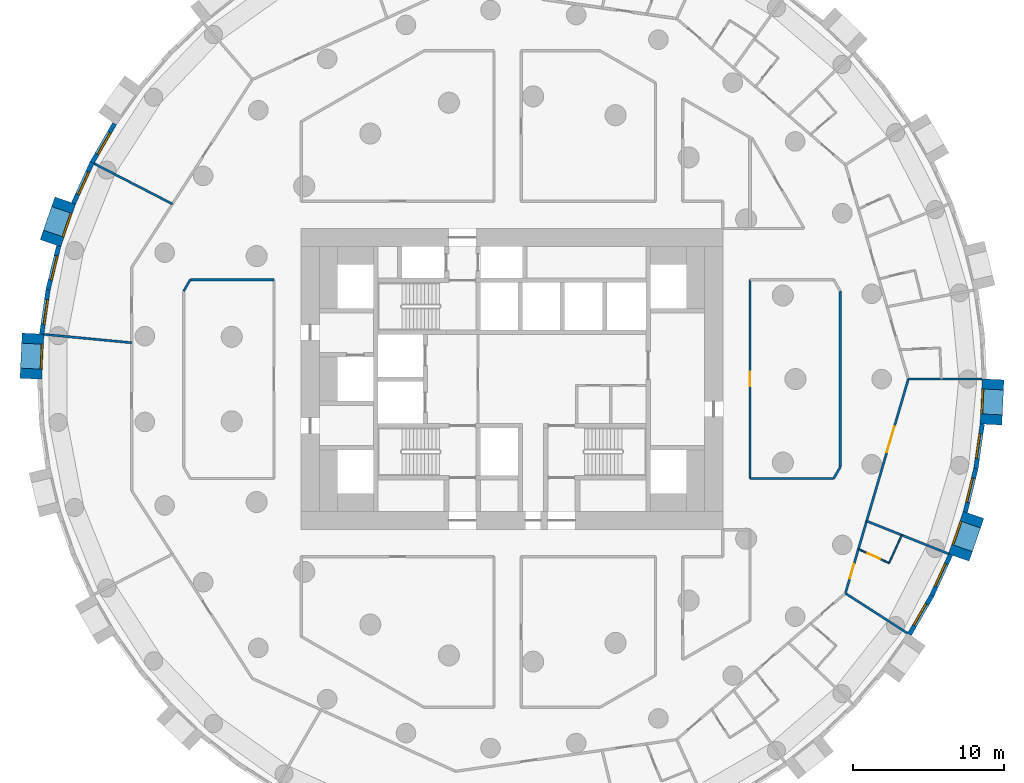
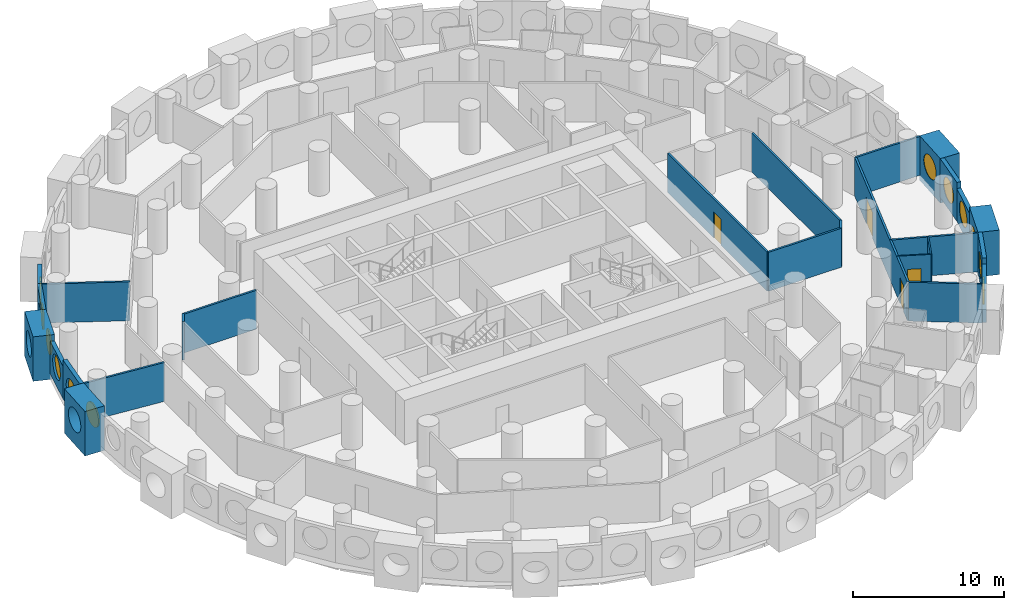
# One storey, part 6 of 12: 26 walls, 12 windows, 4 doors, 16 openings.
"""IFC4 building model written with IfcOpenShell, lengths in metres."""

import ifcopenshell
import ifcopenshell.guid

model = None  # the IFC model being written
_history = None  # IfcOwnerHistory: only IFC2X3 demands one
_inside = {}  # id of a spatial element -> (the spatial element, [elements in it])
_under = {}  # id of a project, library or spatial element -> (it, [spatial elements below it])
_declared = {}  # id of a project -> (the project, [libraries it declares])
_typed = {}  # id of a type object -> (the type object, [elements of that type])
_made_of = {}  # id of a material, layer set ... -> (it, [elements and type objects made of it])


def new_model(schema):
    """Start an empty IFC model of exactly this schema.

    Asked for "IFC4X3", IfcOpenShell would pick the latest addendum, in which some entities
    have other attributes; the version numbers below select the first issue.
    IFC2X3 requires an IfcOwnerHistory on every rooted entity: one is made here for all.
    """
    global model, _history
    if schema == "IFC4X3":
        model = ifcopenshell.file(schema_version=(4, 3, 0, 0))
    else:
        model = ifcopenshell.file(schema=schema)
    _inside.clear()
    _under.clear()
    _declared.clear()
    _typed.clear()
    _made_of.clear()
    _history = None
    if model.schema == "IFC2X3":
        org = make("IfcOrganization", Name="unknown")
        user = make(
            "IfcPersonAndOrganization",
            ThePerson=make("IfcPerson", FamilyName="unknown"),
            TheOrganization=org,
        )
        app = make(
            "IfcApplication",
            ApplicationDeveloper=org,
            Version="unknown",
            ApplicationFullName="unknown",
            ApplicationIdentifier="unknown",
        )
        _history = make(
            "IfcOwnerHistory",
            OwningUser=user,
            OwningApplication=app,
            ChangeAction="ADDED",
            CreationDate=0,
        )
    return model


def make(cls, **values):
    """One entity of the class cls with the attributes given. An attribute that is None is left unset."""
    return model.create_entity(
        cls, **{name: value for name, value in values.items() if value is not None}
    )


def rooted(cls, **values):
    """An entity with a GlobalId (a new one), such as an element, a storey or a relation."""
    return make(cls, GlobalId=ifcopenshell.guid.new(), OwnerHistory=_history, **values)


def si_unit(unit_type, name, prefix=None):
    """IfcSIUnit, for example si_unit("LENGTHUNIT", "METRE", prefix="MILLI")."""
    return make("IfcSIUnit", UnitType=unit_type, Prefix=prefix, Name=name)


def assignment(units):
    """IfcUnitAssignment: the units of a project."""
    return None if units is None else make("IfcUnitAssignment", Units=units)


def point(xyz):
    """IfcCartesianPoint."""
    return None if xyz is None else make("IfcCartesianPoint", Coordinates=xyz)


def direction(xyz):
    """IfcDirection."""
    return None if xyz is None else make("IfcDirection", DirectionRatios=xyz)


def frame(location, z_axis=None, x_axis=None):
    """IfcAxis2Placement3D, a coordinate frame: its origin and axes. An axis left out is left unset."""
    return make(
        "IfcAxis2Placement3D",
        Location=point(location),
        Axis=direction(z_axis),
        RefDirection=direction(x_axis),
    )


def frame_2d(location, x_axis=None):
    """IfcAxis2Placement2D, a coordinate frame in the plane: its origin and x axis."""
    return make(
        "IfcAxis2Placement2D", Location=point(location), RefDirection=direction(x_axis)
    )


def origin():
    """The frame at (0, 0, 0) with its axes left unset."""
    return frame((0.0, 0.0, 0.0))


def origin_2d():
    """The frame at (0, 0) in the plane with its x axis left unset."""
    return frame_2d((0.0, 0.0))


def place(relative_to, where):
    """IfcLocalPlacement: puts the frame where relative to a parent placement (None: the world)."""
    return make(
        "IfcLocalPlacement", PlacementRelTo=relative_to, RelativePlacement=where
    )


def context(
    kind, dimensions, precision=None, world=None, true_north=None, identifier=None
):
    """IfcGeometricRepresentationContext, for example the 3D "Model" context."""
    return make(
        "IfcGeometricRepresentationContext",
        ContextIdentifier=identifier,
        ContextType=kind,
        CoordinateSpaceDimension=dimensions,
        Precision=precision,
        WorldCoordinateSystem=world,
        TrueNorth=true_north,
    )


def subcontext(parent, identifier, kind, view, scale=None):
    """IfcGeometricRepresentationSubContext, for example "Body" below "Model"."""
    return make(
        "IfcGeometricRepresentationSubContext",
        ContextIdentifier=identifier,
        ContextType=kind,
        ParentContext=parent,
        TargetScale=scale,
        TargetView=view,
    )


def project(units=None, contexts=None):
    """IfcProject with its units and contexts."""
    return rooted(
        "IfcProject",
        Name="project",
        RepresentationContexts=contexts,
        UnitsInContext=assignment(units),
    )


def spatial(cls, under=None, at=None, **own):
    """A site, building, storey or space (cls), placed at a placement, below another one or the project."""
    s = rooted(cls, ObjectPlacement=at, **own)
    if under is not None:
        _under.setdefault(under.id(), (under, []))[1].append(s)
    return s


def profile(cls, at=None, kind="AREA", **sizes):
    """A parametric profile (cls). Its sizes go by their IFC names, for example OverallWidth=200.0."""
    return make(cls, ProfileType=kind, Position=at, **sizes)


def rectangle(**sizes):
    """IfcRectangleProfileDef."""
    return profile("IfcRectangleProfileDef", **sizes)


def circle(**sizes):
    """IfcCircleProfileDef."""
    return profile("IfcCircleProfileDef", **sizes)


def extrude(swept, where, along, depth):
    """IfcExtrudedAreaSolid: the profile swept, set in the frame where, extruded along a direction by depth."""
    return make(
        "IfcExtrudedAreaSolid",
        SweptArea=swept,
        Position=where,
        ExtrudedDirection=direction(along),
        Depth=depth,
    )


def shape(context_of_items, identifier, shape_type, items):
    """IfcShapeRepresentation: the items that make up one representation, for example the "Body"."""
    return make(
        "IfcShapeRepresentation",
        ContextOfItems=context_of_items,
        RepresentationIdentifier=identifier,
        RepresentationType=shape_type,
        Items=items,
    )


def material(Name=None, Category=None):
    """IfcMaterial."""
    return make("IfcMaterial", Name=Name, Category=Category)


def layer(
    of_material, thickness, ventilated=None, Name=None, Category=None, Priority=None
):
    """IfcMaterialLayer: one layer of a wall or slab, of a material (None: an air gap)."""
    return make(
        "IfcMaterialLayer",
        Material=of_material,
        LayerThickness=thickness,
        IsVentilated=ventilated,
        Name=Name,
        Category=Category,
        Priority=Priority,
    )


def layer_set(layers, Name=None):
    """IfcMaterialLayerSet."""
    return make("IfcMaterialLayerSet", MaterialLayers=layers, LayerSetName=Name)


def made_of(thing, what):
    """Note that an element or type object is made of a material, layer set ...; save() writes the relation."""
    if what is not None:
        _made_of.setdefault(what.id(), (what, []))[1].append(thing)
    return thing


def type_object(cls, material=None, **own):
    """A type object (cls), such as IfcWallType, which elements share."""
    return made_of(rooted(cls, **own), material)


def element(
    cls,
    number,
    at=None,
    inside=None,
    cuts=None,
    type_object=None,
    material=None,
    context=None,
    identifier="Body",
    shape_type=None,
    held_by="IfcProductDefinitionShape",
    body=None,
    shapes=None,
    **own,
):
    """One element of the class cls, such as IfcWall. Its Tag is "e" and its number.

    at: its placement. inside: the storey or other place that contains it. cuts: it is an
    opening in that element (IfcRelVoidsElement). A single representation is given by context,
    identifier, shape_type and body (its items); several are given by shapes. held_by: the class
    of the entity that holds the representations. save() writes the other relations.
    """
    e = rooted(cls, Tag="e%d" % number, ObjectPlacement=at, **own)
    if body is not None:
        shapes = [shape(context, identifier, shape_type, body)]
    if shapes is not None:
        e.Representation = make(held_by, Representations=shapes)
    if inside is not None:
        _inside.setdefault(inside.id(), (inside, []))[1].append(e)
    if cuts is not None:
        rooted(
            "IfcRelVoidsElement", RelatingBuildingElement=cuts, RelatedOpeningElement=e
        )
    if type_object is not None:
        _typed.setdefault(type_object.id(), (type_object, []))[1].append(e)
    return made_of(e, material)


def fill(opening, filler):
    """IfcRelFillsElement: the door or window that sits in an opening."""
    return rooted(
        "IfcRelFillsElement",
        RelatingOpeningElement=opening,
        RelatedBuildingElement=filler,
    )


def aggregate(whole, parts):
    """IfcRelAggregates: a whole, such as a stair, and the parts it consists of."""
    return rooted("IfcRelAggregates", RelatingObject=whole, RelatedObjects=parts)


def save(model, path):
    """Write the relations noted so far, then the file.

    IfcRelAggregates (storeys below a building ...), IfcRelContainedInSpatialStructure (elements
    in a storey), IfcRelDefinesByType, IfcRelAssociatesMaterial and IfcRelDeclares: one each for
    every whole, place, type object, material and project.
    """
    for whole, parts in _under.values():
        aggregate(whole, parts)
    for where, things in _inside.values():
        rooted(
            "IfcRelContainedInSpatialStructure",
            RelatedElements=things,
            RelatingStructure=where,
        )
    for kind, things in _typed.values():
        rooted("IfcRelDefinesByType", RelatedObjects=things, RelatingType=kind)
    for what, things in _made_of.values():
        rooted("IfcRelAssociatesMaterial", RelatedObjects=things, RelatingMaterial=what)
    for by, libraries in _declared.values():
        rooted("IfcRelDeclares", RelatingContext=by, RelatedDefinitions=libraries)
    model.write(path)


model = new_model("IFC4")

# Units and contexts
model_context = context("Model", 3, precision=1e-05, world=origin(), true_north=direction((0.0, 1.0)))
body_context = subcontext(model_context, "Body", "Model", "MODEL_VIEW")
ifc_project = project(units=[si_unit("LENGTHUNIT", "METRE"), si_unit("AREAUNIT", "SQUARE_METRE"), si_unit("VOLUMEUNIT", "CUBIC_METRE"), si_unit("PLANEANGLEUNIT", "RADIAN"), si_unit("MASSUNIT", "GRAM", prefix="KILO")], contexts=[model_context])

# Site, building, storey
site_placement = place(None, origin())
site = spatial("IfcSite", under=ifc_project, at=site_placement, CompositionType="ELEMENT")
building_placement = place(site_placement, origin())
building = spatial("IfcBuilding", under=site, at=building_placement, Name="Tracery Tower", CompositionType="ELEMENT")
storey_placement = place(building_placement, frame((0.0, 0.0, 78.60009765625)))
storey = spatial("IfcBuildingStorey", under=building, at=storey_placement, Name="L19", CompositionType="ELEMENT", Elevation=78.60009765625)

# Wall, opening, window
ifc_material_1 = material(Name="Precast concrete C50/60", Category="concrete")
ifc_layer_1 = layer(ifc_material_1, 1.449951171875)
ifc_layer_set_1 = layer_set([ifc_layer_1], Name="Deep-set bay unit 3000 x 3600, slab edge 450")
wall_type_1 = type_object("IfcWallType", Name="Deep-set bay unit 3000 x 3600, slab edge 450", PredefinedType="ELEMENTEDWALL", material=ifc_layer_set_1)
wall_1_placement = place(storey_placement, frame((-29.66796875, 11.85546875, -0.4501953125), z_axis=(0.0, 0.0, 1.0), x_axis=(-0.327071431777, -0.944999618262, 0.0)))
wall_1 = element("IfcWall", 1, at=wall_1_placement, inside=storey, type_object=wall_type_1, Name="Deep-set bay unit 30 at L19", PredefinedType="ELEMENTEDWALL", context=body_context, shape_type="SweptSolid", body=[
    extrude(rectangle(XDim=3.0, YDim=1.449951171875, at=frame_2d((1.5, 0.0))), origin(), (0.0, 0.0, 1.0), 3.60009765625),
])
opening_1_placement = place(wall_1_placement, frame((1.5, 0.0, 2.0)))
opening_1 = element("IfcOpeningElement", 2, at=opening_1_placement, cuts=wall_1, Name="Opening WN1", PredefinedType="OPENING", context=body_context, shape_type="SweptSolid", body=[
    extrude(circle(Radius=0.9000244140625, at=origin_2d()), frame((0.0, 0.73486328125, 0.0), z_axis=(0.0, -1.0, 0.0), x_axis=(1.0, 0.0, 0.0)), (0.0, 0.0, 1.0), 1.469970703125),
])
ifc_material_2 = material(Name="Aluminium frame with tinted double glazing", Category="aluminium")
window_type = type_object("IfcWindowType", Name="Round window 1800", PartitioningType="SINGLE_PANEL", PredefinedType="WINDOW", material=ifc_material_2)
window_1_placement = place(opening_1_placement, origin())
window_1 = element("IfcWindow", 3, at=window_1_placement, inside=storey, type_object=window_type, Name="Round window 30 at L19", OverallHeight=1.800048828125, OverallWidth=1.800048828125, PartitioningType="SINGLE_PANEL", PredefinedType="WINDOW", context=body_context, shape_type="SweptSolid", body=[
    extrude(circle(Radius=0.9000244140625, at=origin_2d()), frame((0.0, 0.69482421875, 0.0), z_axis=(0.0, -1.0, 0.0), x_axis=(1.0, 0.0, 0.0)), (0.0, 0.0, 1.0), 0.10009765625),
])
fill(opening_1, window_1)

wall_2_placement = place(storey_placement, frame((-31.806396484375, 3.016845703125, -0.4501953125), z_axis=(0.0, 0.0, 1.0), x_axis=(-0.047607680889, -0.998866111509, 0.0)))
wall_2 = element("IfcWall", 4, at=wall_2_placement, inside=storey, type_object=wall_type_1, Name="Deep-set bay unit 33 at L19", PredefinedType="ELEMENTEDWALL", context=body_context, shape_type="SweptSolid", body=[
    extrude(rectangle(XDim=3.0, YDim=1.449951171875, at=frame_2d((1.5, 0.0))), origin(), (0.0, 0.0, 1.0), 3.60009765625),
])
opening_2_placement = place(wall_2_placement, frame((1.5, 0.0, 2.0)))
opening_2 = element("IfcOpeningElement", 5, at=opening_2_placement, cuts=wall_2, Name="Opening WN1", PredefinedType="OPENING", context=body_context, shape_type="SweptSolid", body=[
    extrude(circle(Radius=0.9000244140625, at=origin_2d()), frame((0.0, 0.73486328125, 0.0), z_axis=(0.0, -1.0, 0.0), x_axis=(1.0, 0.0, 0.0)), (0.0, 0.0, 1.0), 1.469970703125),
])
window_2_placement = place(opening_2_placement, origin())
window_2 = element("IfcWindow", 6, at=window_2_placement, inside=storey, type_object=window_type, Name="Round window 33 at L19", OverallHeight=1.800048828125, OverallWidth=1.800048828125, PartitioningType="SINGLE_PANEL", PredefinedType="WINDOW", context=body_context, shape_type="SweptSolid", body=[
    extrude(circle(Radius=0.9000244140625, at=origin_2d()), frame((0.0, 0.69482421875, 0.0), z_axis=(0.0, -1.0, 0.0), x_axis=(1.0, 0.0, 0.0)), (0.0, 0.0, 1.0), 0.10009765625),
])
fill(opening_2, window_2)

wall_3_placement = place(storey_placement, frame((29.66796875, -11.85546875, -0.4501953125), z_axis=(0.0, 0.0, 1.0), x_axis=(0.327071431777, 0.944999618262, 0.0)))
wall_3 = element("IfcWall", 7, at=wall_3_placement, inside=storey, type_object=wall_type_1, Name="Deep-set bay unit 63 at L19", PredefinedType="ELEMENTEDWALL", context=body_context, shape_type="SweptSolid", body=[
    extrude(rectangle(XDim=3.0, YDim=1.449951171875, at=frame_2d((1.5, 0.0))), origin(), (0.0, 0.0, 1.0), 3.60009765625),
])
opening_3_placement = place(wall_3_placement, frame((1.5, 0.0, 2.0)))
opening_3 = element("IfcOpeningElement", 8, at=opening_3_placement, cuts=wall_3, Name="Opening WN1", PredefinedType="OPENING", context=body_context, shape_type="SweptSolid", body=[
    extrude(circle(Radius=0.9000244140625, at=origin_2d()), frame((0.0, 0.73486328125, 0.0), z_axis=(0.0, -1.0, 0.0), x_axis=(1.0, 0.0, 0.0)), (0.0, 0.0, 1.0), 1.469970703125),
])
window_3_placement = place(opening_3_placement, origin())
window_3 = element("IfcWindow", 9, at=window_3_placement, inside=storey, type_object=window_type, Name="Round window 63 at L19", OverallHeight=1.800048828125, OverallWidth=1.800048828125, PartitioningType="SINGLE_PANEL", PredefinedType="WINDOW", context=body_context, shape_type="SweptSolid", body=[
    extrude(circle(Radius=0.9000244140625, at=origin_2d()), frame((0.0, 0.69482421875, 0.0), z_axis=(0.0, -1.0, 0.0), x_axis=(1.0, 0.0, 0.0)), (0.0, 0.0, 1.0), 0.10009765625),
])
fill(opening_3, window_3)

wall_4_placement = place(storey_placement, frame((31.806396484375, -3.016845703125, -0.4501953125), z_axis=(0.0, 0.0, 1.0), x_axis=(0.047607680889, 0.998866111509, 0.0)))
wall_4 = element("IfcWall", 10, at=wall_4_placement, inside=storey, type_object=wall_type_1, Name="Deep-set bay unit 66 at L19", PredefinedType="ELEMENTEDWALL", context=body_context, shape_type="SweptSolid", body=[
    extrude(rectangle(XDim=3.0, YDim=1.449951171875, at=frame_2d((1.5, 0.0))), origin(), (0.0, 0.0, 1.0), 3.60009765625),
])
opening_4_placement = place(wall_4_placement, frame((1.5, 0.0, 2.0)))
opening_4 = element("IfcOpeningElement", 11, at=opening_4_placement, cuts=wall_4, Name="Opening WN1", PredefinedType="OPENING", context=body_context, shape_type="SweptSolid", body=[
    extrude(circle(Radius=0.9000244140625, at=origin_2d()), frame((0.0, 0.73486328125, 0.0), z_axis=(0.0, -1.0, 0.0), x_axis=(1.0, 0.0, 0.0)), (0.0, 0.0, 1.0), 1.469970703125),
])
window_4_placement = place(opening_4_placement, origin())
window_4 = element("IfcWindow", 12, at=window_4_placement, inside=storey, type_object=window_type, Name="Round window 66 at L19", OverallHeight=1.800048828125, OverallWidth=1.800048828125, PartitioningType="SINGLE_PANEL", PredefinedType="WINDOW", context=body_context, shape_type="SweptSolid", body=[
    extrude(circle(Radius=0.9000244140625, at=origin_2d()), frame((0.0, 0.69482421875, 0.0), z_axis=(0.0, -1.0, 0.0), x_axis=(1.0, 0.0, 0.0)), (0.0, 0.0, 1.0), 0.10009765625),
])
fill(opening_4, window_4)

ifc_material_3 = material(Name="Precast concrete C50/60", Category="concrete")
ifc_layer_2 = layer(ifc_material_3, 0.300048828125)
ifc_layer_set_2 = layer_set([ifc_layer_2], Name="Facade panel 3000 x 2650")
wall_type_2 = type_object("IfcWallType", Name="Facade panel 3000 x 2650", PredefinedType="SOLIDWALL", material=ifc_layer_set_2)
wall_5_placement = place(storey_placement, frame((-26.39697265625, 16.95703125, 0.0), z_axis=(0.0, 0.0, 1.0), x_axis=(-0.499999078476, -0.866025935826, 0.0)))
wall_5 = element("IfcWall", 13, at=wall_5_placement, inside=storey, type_object=wall_type_2, Name="Facade panel 28 at L19", PredefinedType="SOLIDWALL", context=body_context, shape_type="SweptSolid", body=[
    extrude(rectangle(XDim=2.9794921875, YDim=0.300048828125, at=frame_2d((1.48974609375, 0.0))), origin(), (0.0, 0.0, 1.0), 2.64990234375),
])
opening_5_placement = place(wall_5_placement, frame((1.48974609375, 0.0, 1.5498046875)))
opening_5 = element("IfcOpeningElement", 14, at=opening_5_placement, cuts=wall_5, Name="Opening WN1", PredefinedType="OPENING", context=body_context, shape_type="SweptSolid", body=[
    extrude(circle(Radius=0.9000244140625, at=origin_2d()), frame((0.0, 0.159912109375, 0.0), z_axis=(0.0, -1.0, 0.0), x_axis=(1.0, 0.0, 0.0)), (0.0, 0.0, 1.0), 0.320068359375),
])
window_5_placement = place(opening_5_placement, origin())
window_5 = element("IfcWindow", 15, at=window_5_placement, inside=storey, type_object=window_type, Name="Round window 28 at L19", OverallHeight=1.800048828125, OverallWidth=1.800048828125, PartitioningType="SINGLE_PANEL", PredefinedType="WINDOW", context=body_context, shape_type="SweptSolid", body=[
    extrude(circle(Radius=0.9000244140625, at=origin_2d()), frame((0.0, 0.1201171875, 0.0), z_axis=(0.0, -1.0, 0.0), x_axis=(1.0, 0.0, 0.0)), (0.0, 0.0, 1.0), 0.10009765625),
])
fill(opening_5, window_5)

wall_6_placement = place(storey_placement, frame((-30.10498046875, 8.833251953125, 0.0), z_axis=(0.0, 0.0, 1.0), x_axis=(-0.235743081534, -0.971815414319, 0.0)))
wall_6 = element("IfcWall", 16, at=wall_6_placement, inside=storey, type_object=wall_type_2, Name="Facade panel 31 at L19", PredefinedType="SOLIDWALL", context=body_context, shape_type="SweptSolid", body=[
    extrude(rectangle(XDim=2.9794921875, YDim=0.300048828125, at=frame_2d((1.48974609375, 0.0))), origin(), (0.0, 0.0, 1.0), 2.64990234375),
])
opening_6_placement = place(wall_6_placement, frame((1.48974609375, 0.0, 1.5498046875)))
opening_6 = element("IfcOpeningElement", 17, at=opening_6_placement, cuts=wall_6, Name="Opening WN1", PredefinedType="OPENING", context=body_context, shape_type="SweptSolid", body=[
    extrude(circle(Radius=0.9000244140625, at=origin_2d()), frame((0.0, 0.159912109375, 0.0), z_axis=(0.0, -1.0, 0.0), x_axis=(1.0, 0.0, 0.0)), (0.0, 0.0, 1.0), 0.320068359375),
])
window_6_placement = place(opening_6_placement, origin())
window_6 = element("IfcWindow", 18, at=window_6_placement, inside=storey, type_object=window_type, Name="Round window 31 at L19", OverallHeight=1.800048828125, OverallWidth=1.800048828125, PartitioningType="SINGLE_PANEL", PredefinedType="WINDOW", context=body_context, shape_type="SweptSolid", body=[
    extrude(circle(Radius=0.9000244140625, at=origin_2d()), frame((0.0, 0.1201171875, 0.0), z_axis=(0.0, -1.0, 0.0), x_axis=(1.0, 0.0, 0.0)), (0.0, 0.0, 1.0), 0.10009765625),
])
fill(opening_6, window_6)

wall_7_placement = place(storey_placement, frame((26.39697265625, -16.95703125, 0.0), z_axis=(0.0, 0.0, 1.0), x_axis=(0.499999078476, 0.866025935826, 0.0)))
wall_7 = element("IfcWall", 19, at=wall_7_placement, inside=storey, type_object=wall_type_2, Name="Facade panel 61 at L19", PredefinedType="SOLIDWALL", context=body_context, shape_type="SweptSolid", body=[
    extrude(rectangle(XDim=2.9794921875, YDim=0.300048828125, at=frame_2d((1.48974609375, 0.0))), origin(), (0.0, 0.0, 1.0), 2.64990234375),
])
opening_7_placement = place(wall_7_placement, frame((1.48974609375, 0.0, 1.5498046875)))
opening_7 = element("IfcOpeningElement", 20, at=opening_7_placement, cuts=wall_7, Name="Opening WN1", PredefinedType="OPENING", context=body_context, shape_type="SweptSolid", body=[
    extrude(circle(Radius=0.9000244140625, at=origin_2d()), frame((0.0, 0.159912109375, 0.0), z_axis=(0.0, -1.0, 0.0), x_axis=(1.0, 0.0, 0.0)), (0.0, 0.0, 1.0), 0.320068359375),
])
window_7_placement = place(opening_7_placement, origin())
window_7 = element("IfcWindow", 21, at=window_7_placement, inside=storey, type_object=window_type, Name="Round window 61 at L19", OverallHeight=1.800048828125, OverallWidth=1.800048828125, PartitioningType="SINGLE_PANEL", PredefinedType="WINDOW", context=body_context, shape_type="SweptSolid", body=[
    extrude(circle(Radius=0.9000244140625, at=origin_2d()), frame((0.0, 0.1201171875, 0.0), z_axis=(0.0, -1.0, 0.0), x_axis=(1.0, 0.0, 0.0)), (0.0, 0.0, 1.0), 0.10009765625),
])
fill(opening_7, window_7)

wall_8_placement = place(storey_placement, frame((30.10498046875, -8.833251953125, 0.0), z_axis=(0.0, 0.0, 1.0), x_axis=(0.235743081534, 0.971815414319, 0.0)))
wall_8 = element("IfcWall", 22, at=wall_8_placement, inside=storey, type_object=wall_type_2, Name="Facade panel 64 at L19", PredefinedType="SOLIDWALL", context=body_context, shape_type="SweptSolid", body=[
    extrude(rectangle(XDim=2.9794921875, YDim=0.300048828125, at=frame_2d((1.48974609375, 0.0))), origin(), (0.0, 0.0, 1.0), 2.64990234375),
])
opening_8_placement = place(wall_8_placement, frame((1.48974609375, 0.0, 1.5498046875)))
opening_8 = element("IfcOpeningElement", 23, at=opening_8_placement, cuts=wall_8, Name="Opening WN1", PredefinedType="OPENING", context=body_context, shape_type="SweptSolid", body=[
    extrude(circle(Radius=0.9000244140625, at=origin_2d()), frame((0.0, 0.159912109375, 0.0), z_axis=(0.0, -1.0, 0.0), x_axis=(1.0, 0.0, 0.0)), (0.0, 0.0, 1.0), 0.320068359375),
])
window_8_placement = place(opening_8_placement, origin())
window_8 = element("IfcWindow", 24, at=window_8_placement, inside=storey, type_object=window_type, Name="Round window 64 at L19", OverallHeight=1.800048828125, OverallWidth=1.800048828125, PartitioningType="SINGLE_PANEL", PredefinedType="WINDOW", context=body_context, shape_type="SweptSolid", body=[
    extrude(circle(Radius=0.9000244140625, at=origin_2d()), frame((0.0, 0.1201171875, 0.0), z_axis=(0.0, -1.0, 0.0), x_axis=(1.0, 0.0, 0.0)), (0.0, 0.0, 1.0), 0.10009765625),
])
fill(opening_8, window_8)

ifc_material_4 = material(Name="Precast concrete C50/60", Category="concrete")
ifc_layer_3 = layer(ifc_material_4, 0.300048828125)
ifc_layer_set_3 = layer_set([ifc_layer_3], Name="Facade panel 3000 x 3150")
wall_type_3 = type_object("IfcWallType", Name="Facade panel 3000 x 3150", PredefinedType="SOLIDWALL", material=ifc_layer_set_3)
wall_9_placement = place(storey_placement, frame((-27.88671875, 14.376708984375, 0.0), z_axis=(0.0, 0.0, 1.0), x_axis=(-0.415407317162, -0.909635509888, 0.0)))
wall_9 = element("IfcWall", 25, at=wall_9_placement, inside=storey, type_object=wall_type_3, Name="Facade panel 29 at L19", PredefinedType="SOLIDWALL", context=body_context, shape_type="SweptSolid", body=[
    extrude(rectangle(XDim=2.979736328125, YDim=0.300048828125, at=frame_2d((1.48974609375, 0.0))), origin(), (0.0, 0.0, 1.0), 3.14990234375),
])
opening_9_placement = place(wall_9_placement, frame((1.48974609375, 0.0, 1.5498046875)))
opening_9 = element("IfcOpeningElement", 26, at=opening_9_placement, cuts=wall_9, Name="Opening WN1", PredefinedType="OPENING", context=body_context, shape_type="SweptSolid", body=[
    extrude(circle(Radius=0.9000244140625, at=origin_2d()), frame((0.0, 0.159912109375, 0.0), z_axis=(0.0, -1.0, 0.0), x_axis=(1.0, 0.0, 0.0)), (0.0, 0.0, 1.0), 0.320068359375),
])
window_9_placement = place(opening_9_placement, origin())
window_9 = element("IfcWindow", 27, at=window_9_placement, inside=storey, type_object=window_type, Name="Round window 29 at L19", OverallHeight=1.800048828125, OverallWidth=1.800048828125, PartitioningType="SINGLE_PANEL", PredefinedType="WINDOW", context=body_context, shape_type="SweptSolid", body=[
    extrude(circle(Radius=0.9000244140625, at=origin_2d()), frame((0.0, 0.1201171875, 0.0), z_axis=(0.0, -1.0, 0.0), x_axis=(1.0, 0.0, 0.0)), (0.0, 0.0, 1.0), 0.10009765625),
])
fill(opening_9, window_9)

wall_10_placement = place(storey_placement, frame((-30.807373046875, 5.937744140625, 0.0), z_axis=(0.0, 0.0, 1.0), x_axis=(-0.142315996627, -0.989821275334, 0.0)))
wall_10 = element("IfcWall", 28, at=wall_10_placement, inside=storey, type_object=wall_type_3, Name="Facade panel 32 at L19", PredefinedType="SOLIDWALL", context=body_context, shape_type="SweptSolid", body=[
    extrude(rectangle(XDim=2.979736328125, YDim=0.300048828125, at=frame_2d((1.48974609375, 0.0))), origin(), (0.0, 0.0, 1.0), 3.14990234375),
])
opening_10_placement = place(wall_10_placement, frame((1.48974609375, 0.0, 1.5498046875)))
opening_10 = element("IfcOpeningElement", 29, at=opening_10_placement, cuts=wall_10, Name="Opening WN1", PredefinedType="OPENING", context=body_context, shape_type="SweptSolid", body=[
    extrude(circle(Radius=0.9000244140625, at=origin_2d()), frame((0.0, 0.159912109375, 0.0), z_axis=(0.0, -1.0, 0.0), x_axis=(1.0, 0.0, 0.0)), (0.0, 0.0, 1.0), 0.320068359375),
])
window_10_placement = place(opening_10_placement, origin())
window_10 = element("IfcWindow", 30, at=window_10_placement, inside=storey, type_object=window_type, Name="Round window 32 at L19", OverallHeight=1.800048828125, OverallWidth=1.800048828125, PartitioningType="SINGLE_PANEL", PredefinedType="WINDOW", context=body_context, shape_type="SweptSolid", body=[
    extrude(circle(Radius=0.9000244140625, at=origin_2d()), frame((0.0, 0.1201171875, 0.0), z_axis=(0.0, -1.0, 0.0), x_axis=(1.0, 0.0, 0.0)), (0.0, 0.0, 1.0), 0.10009765625),
])
fill(opening_10, window_10)

wall_11_placement = place(storey_placement, frame((27.88671875, -14.376708984375, 0.0), z_axis=(0.0, 0.0, 1.0), x_axis=(0.415407317162, 0.909635509888, 0.0)))
wall_11 = element("IfcWall", 31, at=wall_11_placement, inside=storey, type_object=wall_type_3, Name="Facade panel 62 at L19", PredefinedType="SOLIDWALL", context=body_context, shape_type="SweptSolid", body=[
    extrude(rectangle(XDim=2.979736328125, YDim=0.300048828125, at=frame_2d((1.48974609375, 0.0))), origin(), (0.0, 0.0, 1.0), 3.14990234375),
])
opening_11_placement = place(wall_11_placement, frame((1.48974609375, 0.0, 1.5498046875)))
opening_11 = element("IfcOpeningElement", 32, at=opening_11_placement, cuts=wall_11, Name="Opening WN1", PredefinedType="OPENING", context=body_context, shape_type="SweptSolid", body=[
    extrude(circle(Radius=0.9000244140625, at=origin_2d()), frame((0.0, 0.159912109375, 0.0), z_axis=(0.0, -1.0, 0.0), x_axis=(1.0, 0.0, 0.0)), (0.0, 0.0, 1.0), 0.320068359375),
])
window_11_placement = place(opening_11_placement, origin())
window_11 = element("IfcWindow", 33, at=window_11_placement, inside=storey, type_object=window_type, Name="Round window 62 at L19", OverallHeight=1.800048828125, OverallWidth=1.800048828125, PartitioningType="SINGLE_PANEL", PredefinedType="WINDOW", context=body_context, shape_type="SweptSolid", body=[
    extrude(circle(Radius=0.9000244140625, at=origin_2d()), frame((0.0, 0.1201171875, 0.0), z_axis=(0.0, -1.0, 0.0), x_axis=(1.0, 0.0, 0.0)), (0.0, 0.0, 1.0), 0.10009765625),
])
fill(opening_11, window_11)

wall_12_placement = place(storey_placement, frame((30.807373046875, -5.937744140625, 0.0), z_axis=(0.0, 0.0, 1.0), x_axis=(0.142315996627, 0.989821275334, 0.0)))
wall_12 = element("IfcWall", 34, at=wall_12_placement, inside=storey, type_object=wall_type_3, Name="Facade panel 65 at L19", PredefinedType="SOLIDWALL", context=body_context, shape_type="SweptSolid", body=[
    extrude(rectangle(XDim=2.979736328125, YDim=0.300048828125, at=frame_2d((1.48974609375, 0.0))), origin(), (0.0, 0.0, 1.0), 3.14990234375),
])
opening_12_placement = place(wall_12_placement, frame((1.48974609375, 0.0, 1.5498046875)))
opening_12 = element("IfcOpeningElement", 35, at=opening_12_placement, cuts=wall_12, Name="Opening WN1", PredefinedType="OPENING", context=body_context, shape_type="SweptSolid", body=[
    extrude(circle(Radius=0.9000244140625, at=origin_2d()), frame((0.0, 0.159912109375, 0.0), z_axis=(0.0, -1.0, 0.0), x_axis=(1.0, 0.0, 0.0)), (0.0, 0.0, 1.0), 0.320068359375),
])
window_12_placement = place(opening_12_placement, origin())
window_12 = element("IfcWindow", 36, at=window_12_placement, inside=storey, type_object=window_type, Name="Round window 65 at L19", OverallHeight=1.800048828125, OverallWidth=1.800048828125, PartitioningType="SINGLE_PANEL", PredefinedType="WINDOW", context=body_context, shape_type="SweptSolid", body=[
    extrude(circle(Radius=0.9000244140625, at=origin_2d()), frame((0.0, 0.1201171875, 0.0), z_axis=(0.0, -1.0, 0.0), x_axis=(1.0, 0.0, 0.0)), (0.0, 0.0, 1.0), 0.10009765625),
])
fill(opening_12, window_12)

# Wall, opening, door
ifc_material_5 = material(Name="Plasterboard on steel studs", Category="steel")
ifc_layer_4 = layer(ifc_material_5, 0.10009765625)
ifc_layer_set_4 = layer_set([ifc_layer_4], Name="Partition 100 wet wall")
wall_type_4 = type_object("IfcWallType", Name="Partition 100 wet wall", PredefinedType="PARTITIONING", material=ifc_layer_set_4)
wall_13_placement = place(storey_placement, frame((23.0029296875, -11.291015625, 0.0), z_axis=(0.0, 0.0, 1.0), x_axis=(0.90975773562, -0.41513956988, 0.0)))
wall_13 = element("IfcWall", 37, at=wall_13_placement, inside=storey, type_object=wall_type_4, Name="Wet wall RA5-099", PredefinedType="PARTITIONING", context=body_context, shape_type="SweptSolid", body=[
    extrude(rectangle(XDim=2.242431640625, YDim=0.10009765625, at=frame_2d((1.12109375, 0.0))), origin(), (0.0, 0.0, 1.0), 3.14990234375),
])
opening_13_placement = place(wall_13_placement, frame((0.6708984375, 0.0, 0.0)))
opening_13 = element("IfcOpeningElement", 38, at=opening_13_placement, cuts=wall_13, Name="Opening RA5-39", PredefinedType="OPENING", context=body_context, shape_type="SweptSolid", body=[
    extrude(rectangle(XDim=0.89990234375, YDim=2.0400390625, at=frame_2d((0.449951171875, 1.02001953125))), frame((0.0, 0.050048828125, 0.0), z_axis=(0.0, -1.0, 0.0), x_axis=(1.0, 0.0, 0.0)), (0.0, 0.0, 1.0), 0.10009765625),
])
ifc_material_6 = material(Name="Timber door leaf", Category="wood")
door_type_1 = type_object("IfcDoorType", Name="Door en-suite 900", OperationType="NOTDEFINED", PredefinedType="DOOR", material=ifc_material_6)
door_1_placement = place(opening_13_placement, origin())
door_1 = element("IfcDoor", 39, at=door_1_placement, inside=storey, type_object=door_type_1, Name="En-suite door RA5-39", OperationType="SINGLE_SWING_LEFT", OverallHeight=2.0400390625, OverallWidth=0.89990234375, PredefinedType="DOOR", context=body_context, shape_type="SweptSolid", body=[
    extrude(rectangle(XDim=0.89990234375, YDim=2.0400390625, at=frame_2d((0.449951171875, 1.02001953125))), frame((0.0, 0.02490234375, 0.0), z_axis=(0.0, -1.0, 0.0), x_axis=(1.0, 0.0, 0.0)), (0.0, 0.0, 1.0), 0.050048828125),
])
fill(opening_13, door_1)

# Walls
wall_14_placement = place(storey_placement, frame((25.04296875, -12.221923828125, 0.0), z_axis=(0.0, 0.0, 1.0), x_axis=(0.41546015385, 0.909611378866, 0.0)))
element("IfcWall", 40, at=wall_14_placement, inside=storey, type_object=wall_type_4, Name="Wet wall RA5-100", PredefinedType="PARTITIONING", context=body_context, shape_type="SweptSolid", body=[
    extrude(rectangle(XDim=2.04150390625, YDim=0.10009765625, at=frame_2d((1.020751953125, 0.0))), origin(), (0.0, 0.0, 1.0), 3.14990234375),
])
ifc_material_7 = material(Name="Plasterboard on steel studs", Category="steel")
ifc_layer_5 = layer(ifc_material_7, 0.14990234375)
ifc_layer_set_5 = layer_set([ifc_layer_5], Name="Partition 150 acoustic unit wall")
wall_type_5 = type_object("IfcWallType", Name="Partition 150 acoustic unit wall", PredefinedType="PARTITIONING", material=ifc_layer_set_5)
wall_15_placement = place(storey_placement, frame((26.319091796875, 0.0, 0.0), z_axis=(0.0, 0.0, 1.0), x_axis=(1.0, 0.0, 0.0)))
element("IfcWall", 41, at=wall_15_placement, inside=storey, type_object=wall_type_5, Name="Unit wall RA5-061", PredefinedType="PARTITIONING", context=body_context, shape_type="SweptSolid", body=[
    extrude(rectangle(XDim=4.905029296875, YDim=0.14990234375, at=frame_2d((2.45263671875, 0.0))), origin(), (0.0, 0.0, 1.0), 3.14990234375),
])
wall_16_placement = place(storey_placement, frame((-27.7529296875, 14.30810546875, 0.0), z_axis=(0.0, 0.0, 1.0), x_axis=(0.88877955153, -0.45833493079, 0.0)))
element("IfcWall", 42, at=wall_16_placement, inside=storey, type_object=wall_type_5, Name="Unit wall RA5-082", PredefinedType="PARTITIONING", context=body_context, shape_type="SweptSolid", body=[
    extrude(rectangle(XDim=5.856201171875, YDim=0.14990234375, at=frame_2d((2.92822265625, 0.0))), origin(), (0.0, 0.0, 1.0), 3.14990234375),
])
wall_17_placement = place(storey_placement, frame((-31.0830078125, 2.968017578125, 0.0), z_axis=(0.0, 0.0, 1.0), x_axis=(0.995465070325, -0.095127775983, 0.0)))
element("IfcWall", 43, at=wall_17_placement, inside=storey, type_object=wall_type_5, Name="Unit wall RA5-083", PredefinedType="PARTITIONING", context=body_context, shape_type="SweptSolid", body=[
    extrude(rectangle(XDim=5.856689453125, YDim=0.14990234375, at=frame_2d((2.92822265625, 0.0))), origin(), (0.0, 0.0, 1.0), 3.14990234375),
])
wall_18_placement = place(storey_placement, frame((22.14111328125, -14.22900390625, 0.0), z_axis=(0.0, 0.0, 1.0), x_axis=(0.841265781699, -0.540621757371, 0.0)))
element("IfcWall", 44, at=wall_18_placement, inside=storey, type_object=wall_type_5, Name="Unit wall RA5-098", PredefinedType="PARTITIONING", context=body_context, shape_type="SweptSolid", body=[
    extrude(rectangle(XDim=4.90576171875, YDim=0.14990234375, at=frame_2d((2.452880859375, 0.0))), origin(), (0.0, 0.0, 1.0), 3.14990234375),
])
wall_19_placement = place(storey_placement, frame((23.550048828125, -9.427734375, 0.0), z_axis=(0.0, 0.0, 1.0), x_axis=(0.928355916729, -0.371692469489, 0.0)))
element("IfcWall", 45, at=wall_19_placement, inside=storey, type_object=wall_type_5, Name="Unit wall RA5-101", PredefinedType="PARTITIONING", context=body_context, shape_type="SweptSolid", body=[
    extrude(rectangle(XDim=5.857666015625, YDim=0.14990234375, at=frame_2d((2.9287109375, 0.0))), origin(), (0.0, 0.0, 1.0), 3.14990234375),
])

# Wall, opening, door
ifc_material_8 = material(Name="Plasterboard on steel studs", Category="steel")
ifc_layer_6 = layer(ifc_material_8, 0.14990234375)
ifc_layer_set_6 = layer_set([ifc_layer_6], Name="Partition 150 corridor wall")
wall_type_6 = type_object("IfcWallType", Name="Partition 150 corridor wall", PredefinedType="PARTITIONING", material=ifc_layer_set_6)
wall_20_placement = place(storey_placement, frame((15.800048828125, -6.60400390625, 0.0), z_axis=(0.0, 0.0, 1.0), x_axis=(0.0, 1.0, 0.0)))
wall_20 = element("IfcWall", 46, at=wall_20_placement, inside=storey, type_object=wall_type_6, Name="Corridor wall RA5-011", PredefinedType="PARTITIONING", context=body_context, shape_type="SweptSolid", body=[
    extrude(rectangle(XDim=13.2080078125, YDim=0.14990234375, at=frame_2d((6.60400390625, 0.0))), origin(), (0.0, 0.0, 1.0), 3.14990234375),
])
opening_14_placement = place(wall_20_placement, frame((6.12890625, 0.0, 0.0)))
opening_14 = element("IfcOpeningElement", 47, at=opening_14_placement, cuts=wall_20, Name="Opening RA5-07", PredefinedType="OPENING", context=body_context, shape_type="SweptSolid", body=[
    extrude(rectangle(XDim=0.949951171875, YDim=2.10009765625, at=frame_2d((0.47509765625, 1.050048828125))), frame((0.0, 0.074951171875, 0.0), z_axis=(0.0, -1.0, 0.0), x_axis=(1.0, 0.0, 0.0)), (0.0, 0.0, 1.0), 0.14990234375),
])
ifc_material_9 = material(Name="Timber door leaf", Category="wood")
door_type_2 = type_object("IfcDoorType", Name="Door store 950", OperationType="NOTDEFINED", PredefinedType="DOOR", material=ifc_material_9)
door_2_placement = place(opening_14_placement, origin())
door_2 = element("IfcDoor", 48, at=door_2_placement, inside=storey, type_object=door_type_2, Name="Store door RA5-07", OperationType="SINGLE_SWING_LEFT", OverallHeight=2.10009765625, OverallWidth=0.949951171875, PredefinedType="DOOR", context=body_context, shape_type="SweptSolid", body=[
    extrude(rectangle(XDim=0.949951171875, YDim=2.10009765625, at=frame_2d((0.47509765625, 1.050048828125))), frame((0.0, 0.02490234375, 0.0), z_axis=(0.0, -1.0, 0.0), x_axis=(1.0, 0.0, 0.0)), (0.0, 0.0, 1.0), 0.050048828125),
])
fill(opening_14, door_2)

# Walls
wall_21_placement = place(storey_placement, frame((15.800048828125, -6.60009765625, 0.0), z_axis=(0.0, 0.0, 1.0), x_axis=(1.0, 0.0, 0.0)))
element("IfcWall", 49, at=wall_21_placement, inside=storey, type_object=wall_type_6, Name="Corridor wall RA5-014", PredefinedType="PARTITIONING", context=body_context, shape_type="SweptSolid", body=[
    extrude(rectangle(XDim=5.56396484375, YDim=0.14990234375, at=frame_2d((2.781982421875, 0.0))), origin(), (0.0, 0.0, 1.0), 3.14990234375),
])
wall_22_placement = place(storey_placement, frame((21.364013671875, -6.60009765625, 0.0), z_axis=(0.0, 0.0, 1.0), x_axis=(0.500277597875, 0.865865073245, 0.0)))
element("IfcWall", 50, at=wall_22_placement, inside=storey, type_object=wall_type_6, Name="Corridor wall RA5-015", PredefinedType="PARTITIONING", context=body_context, shape_type="SweptSolid", body=[
    extrude(rectangle(XDim=0.87548828125, YDim=0.14990234375, at=frame_2d((0.437744140625, 0.0))), origin(), (0.0, 0.0, 1.0), 3.14990234375),
])
wall_23_placement = place(storey_placement, frame((21.802001953125, -5.842041015625, 0.0), z_axis=(0.0, 0.0, 1.0), x_axis=(0.0, 1.0, 0.0)))
element("IfcWall", 51, at=wall_23_placement, inside=storey, type_object=wall_type_6, Name="Corridor wall RA5-016", PredefinedType="PARTITIONING", context=body_context, shape_type="SweptSolid", body=[
    extrude(rectangle(XDim=11.68408203125, YDim=0.14990234375, at=frame_2d((5.842041015625, 0.0))), origin(), (0.0, 0.0, 1.0), 3.14990234375),
])

# Wall, openings, doors
wall_24_placement = place(storey_placement, frame((22.14111328125, -14.22900390625, 0.0), z_axis=(0.0, 0.0, 1.0), x_axis=(0.281765208947, 0.959483385488, 0.0)))
wall_24 = element("IfcWall", 52, at=wall_24_placement, inside=storey, type_object=wall_type_6, Name="Corridor wall RA5-023", PredefinedType="PARTITIONING", context=body_context, shape_type="SweptSolid", body=[
    extrude(rectangle(XDim=14.82958984375, YDim=0.14990234375, at=frame_2d((7.414794921875, 0.0))), origin(), (0.0, 0.0, 1.0), 3.14990234375),
])
opening_15_placement = place(wall_24_placement, frame((1.033203125, 0.0, 0.0)))
opening_15 = element("IfcOpeningElement", 53, at=opening_15_placement, cuts=wall_24, Name="Opening RA5-40", PredefinedType="OPENING", context=body_context, shape_type="SweptSolid", body=[
    extrude(rectangle(XDim=1.0, YDim=2.10009765625, at=frame_2d((0.5, 1.050048828125))), frame((0.0, 0.074951171875, 0.0), z_axis=(0.0, -1.0, 0.0), x_axis=(1.0, 0.0, 0.0)), (0.0, 0.0, 1.0), 0.14990234375),
])
opening_16_placement = place(wall_24_placement, frame((9.7646484375, 0.0, 0.0)))
opening_16 = element("IfcOpeningElement", 54, at=opening_16_placement, cuts=wall_24, Name="Opening RA5-41", PredefinedType="OPENING", context=body_context, shape_type="SweptSolid", body=[
    extrude(rectangle(XDim=1.800048828125, YDim=2.10009765625, at=frame_2d((0.89990234375, 1.050048828125))), frame((0.0, 0.074951171875, 0.0), z_axis=(0.0, -1.0, 0.0), x_axis=(1.0, 0.0, 0.0)), (0.0, 0.0, 1.0), 0.14990234375),
])
ifc_material_10 = material(Name="Timber door leaf", Category="wood")
door_type_3 = type_object("IfcDoorType", Name="Door double lounge 1800", OperationType="NOTDEFINED", PredefinedType="DOOR", material=ifc_material_10)
door_3_placement = place(opening_16_placement, origin())
door_3 = element("IfcDoor", 55, at=door_3_placement, inside=storey, type_object=door_type_3, Name="Double lounge door RA5-41", OperationType="DOUBLE_DOOR_SINGLE_SWING", OverallHeight=2.10009765625, OverallWidth=1.800048828125, PredefinedType="DOOR", context=body_context, shape_type="SweptSolid", body=[
    extrude(rectangle(XDim=1.800048828125, YDim=2.10009765625, at=frame_2d((0.89990234375, 1.050048828125))), frame((0.0, 0.02490234375, 0.0), z_axis=(0.0, -1.0, 0.0), x_axis=(1.0, 0.0, 0.0)), (0.0, 0.0, 1.0), 0.050048828125),
])
fill(opening_16, door_3)
ifc_material_11 = material(Name="Timber door leaf", Category="wood")
door_type_4 = type_object("IfcDoorType", Name="Door unit entrance 1000", OperationType="NOTDEFINED", PredefinedType="DOOR", material=ifc_material_11)
door_4_placement = place(opening_15_placement, origin())
door_4 = element("IfcDoor", 56, at=door_4_placement, inside=storey, type_object=door_type_4, Name="Unit entrance door RA5-40", OperationType="SINGLE_SWING_LEFT", OverallHeight=2.10009765625, OverallWidth=1.0, PredefinedType="DOOR", context=body_context, shape_type="SweptSolid", body=[
    extrude(rectangle(XDim=1.0, YDim=2.10009765625, at=frame_2d((0.5, 1.050048828125))), frame((0.0, 0.02490234375, 0.0), z_axis=(0.0, -1.0, 0.0), x_axis=(1.0, 0.0, 0.0)), (0.0, 0.0, 1.0), 0.050048828125),
])
fill(opening_15, door_4)

# Walls
wall_25_placement = place(storey_placement, frame((-21.364013671875, 6.60009765625, 0.0), z_axis=(0.0, 0.0, 1.0), x_axis=(1.0, 0.0, 0.0)))
element("IfcWall", 57, at=wall_25_placement, inside=storey, type_object=wall_type_6, Name="Corridor wall RA5-038", PredefinedType="PARTITIONING", context=body_context, shape_type="SweptSolid", body=[
    extrude(rectangle(XDim=5.56396484375, YDim=0.14990234375, at=frame_2d((2.781982421875, 0.0))), origin(), (0.0, 0.0, 1.0), 3.14990234375),
])
wall_26_placement = place(storey_placement, frame((-21.802001953125, 5.842041015625, 0.0), z_axis=(0.0, 0.0, 1.0), x_axis=(0.500277597875, 0.865865073245, 0.0)))
element("IfcWall", 58, at=wall_26_placement, inside=storey, type_object=wall_type_6, Name="Corridor wall RA5-039", PredefinedType="PARTITIONING", context=body_context, shape_type="SweptSolid", body=[
    extrude(rectangle(XDim=0.87548828125, YDim=0.14990234375, at=frame_2d((0.437744140625, 0.0))), origin(), (0.0, 0.0, 1.0), 3.14990234375),
])

save(model, "model.ifc")
